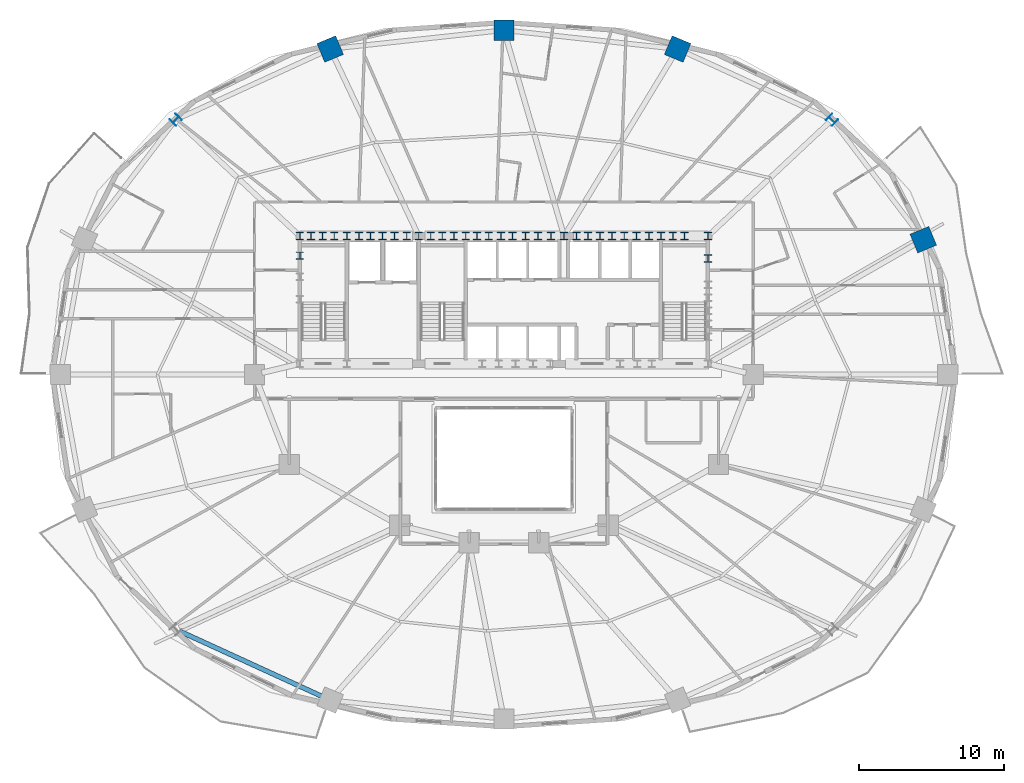
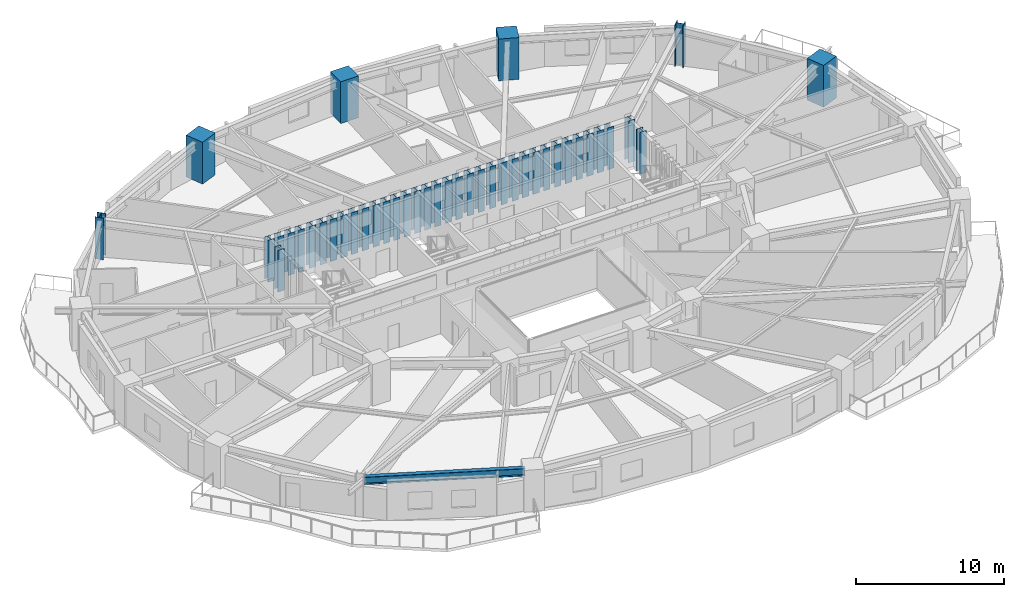
# One storey, part 2 of 18: 42 columns, 1 beam.
"""IFC4 building model written with IfcOpenShell, lengths in metres."""

from ifc_helpers import new_model, si_unit, direction, frame, origin, origin_2d, place, context, subcontext, project, spatial, rectangle, i_section, extrude, material, material_profile, profile_set, type_object, element, save


model = new_model("IFC4")

# Units and contexts
model_context = context("Model", 3, precision=1e-05, world=origin(), true_north=direction((0.0, 1.0)))
body_context = subcontext(model_context, "Body", "Model", "MODEL_VIEW")
ifc_project = project(units=[si_unit("LENGTHUNIT", "METRE"), si_unit("AREAUNIT", "SQUARE_METRE"), si_unit("VOLUMEUNIT", "CUBIC_METRE"), si_unit("PLANEANGLEUNIT", "RADIAN"), si_unit("MASSUNIT", "GRAM", prefix="KILO")], contexts=[model_context])

# Site, building, storey
site_placement = place(None, origin())
site = spatial("IfcSite", under=ifc_project, at=site_placement, CompositionType="ELEMENT")
building_placement = place(site_placement, origin())
building = spatial("IfcBuilding", under=site, at=building_placement, Name="Haldorwick Loom Tower", CompositionType="ELEMENT")
storey_placement = place(building_placement, frame((0.0, 0.0, 48.14990234375)))
storey = spatial("IfcBuildingStorey", under=building, at=storey_placement, Name="L12", CompositionType="ELEMENT", Elevation=48.14990234375)

# Columns
ifc_material_1 = material(Name="Concrete C60 (60 MPa)", Category="concrete")
ifc_material_profile_1 = material_profile(ifc_material_1, rectangle(XDim=1.39990234375, YDim=1.39990234375, at=origin_2d()), Name="RC1400X1400", Category="concrete")
ifc_profile_set_1 = profile_set([ifc_material_profile_1], Name="Concrete C60 (60 MPa)")
column_type_1 = type_object("IfcColumnType", Name="STR-COL-RC1400", PredefinedType="PILASTER", material=ifc_profile_set_1)
for number, where, z_axis, x_axis, name in (
    (1, (64.91748046875, 35.29931640625, 0.0), (0.0, 0.0, 1.0), (0.923879532511, 0.382683432365, 0.0), "L12 Perimeter Pier Column P02"),
    (2, (47.97802734375, 48.4501953125, 0.0), (0.0, 0.0, 1.0), (0.382683432365, 0.923879532511, 0.0), "L12 Perimeter Pier Column P04"),
    (3, (36.0, 49.75, 0.0), (0.0, 0.0, 1.0), (0.0, 1.0, 0.0), "L12 Perimeter Pier Column P05"),
    (4, (24.02197265625, 48.4501953125, 0.0), (0.0, 0.0, 1.0), (-0.382683432365, 0.923879532511, 0.0), "L12 Perimeter Pier Column P06"),
):
    element("IfcColumn", number, at=place(storey_placement, frame(where, z_axis=z_axis, x_axis=x_axis)), inside=storey, type_object=column_type_1, Name=name, PredefinedType="PILASTER", context=body_context, shape_type="SweptSolid", body=[
        extrude(rectangle(XDim=1.39990234375, YDim=1.39990234375, at=origin_2d()), origin(), (0.0, 0.0, 1.0), 3.4501953125),
    ])
ifc_material_2 = material(Name="Steel CSA G40.21 350WT", Category="steel")
ifc_material_profile_2 = material_profile(ifc_material_2, i_section(OverallWidth=0.5, OverallDepth=0.5, WebThickness=0.02197265625, FlangeThickness=0.031982421875, at=origin_2d()), Name="WWF500X500", Category="steel")
ifc_profile_set_2 = profile_set([ifc_material_profile_2], Name="Steel CSA G40.21 350WT")
column_type_2 = type_object("IfcColumnType", Name="STR-COL-WWF500", PredefinedType="COLUMN", material=ifc_profile_set_2)
for number, where, z_axis, x_axis, name in (
    (5, (21.929931640625, 35.550048828125, 0.0), (0.0, 0.0, 1.0), (1.0, 0.0, 0.0), "L12 Core Pilaster CB-01"),
    (6, (23.5, 35.550048828125, 0.0), (0.0, 0.0, 1.0), (1.0, 0.0, 0.0), "L12 Core Pilaster CB-02"),
    (7, (25.169921875, 35.550048828125, 0.0), (0.0, 0.0, 1.0), (1.0, 0.0, 0.0), "L12 Core Pilaster CB-03"),
    (8, (26.800048828125, 35.550048828125, 0.0), (0.0, 0.0, 1.0), (1.0, 0.0, 0.0), "L12 Core Pilaster CB-04"),
    (9, (28.449951171875, 35.550048828125, 0.0), (0.0, 0.0, 1.0), (1.0, 0.0, 0.0), "L12 Core Pilaster CB-05"),
    (10, (30.1298828125, 35.550048828125, 0.0), (0.0, 0.0, 1.0), (1.0, 0.0, 0.0), "L12 Core Pilaster CB-06"),
    (11, (31.75, 35.550048828125, 0.0), (0.0, 0.0, 1.0), (1.0, 0.0, 0.0), "L12 Core Pilaster CB-07"),
    (12, (33.3701171875, 35.550048828125, 0.0), (0.0, 0.0, 1.0), (1.0, 0.0, 0.0), "L12 Core Pilaster CB-08"),
    (13, (34.949951171875, 35.550048828125, 0.0), (0.0, 0.0, 1.0), (1.0, 0.0, 0.0), "L12 Core Pilaster CB-09"),
    (14, (36.60009765625, 35.550048828125, 0.0), (0.0, 0.0, 1.0), (1.0, 0.0, 0.0), "L12 Core Pilaster CB-10"),
    (15, (38.35009765625, 35.550048828125, 0.0), (0.0, 0.0, 1.0), (1.0, 0.0, 0.0), "L12 Core Pilaster CB-11"),
    (16, (40.14990234375, 35.550048828125, 0.0), (0.0, 0.0, 1.0), (1.0, 0.0, 0.0), "L12 Core Pilaster CB-12"),
    (17, (41.800048828125, 35.550048828125, 0.0), (0.0, 0.0, 1.0), (1.0, 0.0, 0.0), "L12 Core Pilaster CB-13"),
    (18, (43.449951171875, 35.550048828125, 0.0), (0.0, 0.0, 1.0), (1.0, 0.0, 0.0), "L12 Core Pilaster CB-14"),
    (19, (45.14990234375, 35.550048828125, 0.0), (0.0, 0.0, 1.0), (1.0, 0.0, 0.0), "L12 Core Pilaster CB-15"),
    (20, (46.830078125, 35.550048828125, 0.0), (0.0, 0.0, 1.0), (1.0, 0.0, 0.0), "L12 Core Pilaster CB-16"),
    (21, (48.449951171875, 35.550048828125, 0.0), (0.0, 0.0, 1.0), (1.0, 0.0, 0.0), "L12 Core Pilaster CB-17"),
    (22, (50.070068359375, 35.550048828125, 0.0), (0.0, 0.0, 1.0), (1.0, 0.0, 0.0), "L12 Core Pilaster CB-18"),
    (23, (21.929931640625, 34.199951171875, 0.0), (0.0, 0.0, 1.0), (1.0, 0.0, 0.0), "L12 Core Pilaster CB-28"),
    (24, (50.070068359375, 34.0, 0.0), (0.0, 0.0, 1.0), (1.0, 0.0, 0.0), "L12 Core Pilaster CB-32"),
    (25, (22.699951171875, 35.550048828125, 0.0), (0.0, 0.0, 1.0), (1.0, 0.0, 0.0), "L12 Core Pilaster CB-33"),
    (26, (27.6201171875, 35.550048828125, 0.0), (0.0, 0.0, 1.0), (1.0, 0.0, 0.0), "L12 Core Pilaster CB-34"),
    (27, (32.550048828125, 35.550048828125, 0.0), (0.0, 0.0, 1.0), (1.0, 0.0, 0.0), "L12 Core Pilaster CB-35"),
    (28, (37.5, 35.550048828125, 0.0), (0.0, 0.0, 1.0), (1.0, 0.0, 0.0), "L12 Core Pilaster CB-36"),
    (29, (42.6201171875, 35.550048828125, 0.0), (0.0, 0.0, 1.0), (1.0, 0.0, 0.0), "L12 Core Pilaster CB-37"),
    (30, (47.64990234375, 35.550048828125, 0.0), (0.0, 0.0, 1.0), (1.0, 0.0, 0.0), "L12 Core Pilaster CB-38"),
    (31, (24.300048828125, 35.550048828125, 0.0), (0.0, 0.0, 1.0), (1.0, 0.0, 0.0), "L12 Core Pilaster CB-39"),
    (32, (26.0, 35.550048828125, 0.0), (0.0, 0.0, 1.0), (1.0, 0.0, 0.0), "L12 Core Pilaster CB-40"),
    (33, (29.300048828125, 35.550048828125, 0.0), (0.0, 0.0, 1.0), (1.0, 0.0, 0.0), "L12 Core Pilaster CB-41"),
    (34, (30.949951171875, 35.550048828125, 0.0), (0.0, 0.0, 1.0), (1.0, 0.0, 0.0), "L12 Core Pilaster CB-42"),
    (35, (34.14990234375, 35.550048828125, 0.0), (0.0, 0.0, 1.0), (1.0, 0.0, 0.0), "L12 Core Pilaster CB-43"),
    (36, (35.800048828125, 35.550048828125, 0.0), (0.0, 0.0, 1.0), (1.0, 0.0, 0.0), "L12 Core Pilaster CB-44"),
    (37, (39.25, 35.550048828125, 0.0), (0.0, 0.0, 1.0), (1.0, 0.0, 0.0), "L12 Core Pilaster CB-45"),
    (38, (41.0, 35.550048828125, 0.0), (0.0, 0.0, 1.0), (1.0, 0.0, 0.0), "L12 Core Pilaster CB-46"),
    (39, (44.300048828125, 35.550048828125, 0.0), (0.0, 0.0, 1.0), (1.0, 0.0, 0.0), "L12 Core Pilaster CB-47"),
    (40, (46.0, 35.550048828125, 0.0), (0.0, 0.0, 1.0), (1.0, 0.0, 0.0), "L12 Core Pilaster CB-48"),
):
    element("IfcColumn", number, at=place(storey_placement, frame(where, z_axis=z_axis, x_axis=x_axis)), inside=storey, type_object=column_type_2, Name=name, PredefinedType="COLUMN", context=body_context, shape_type="SweptSolid", body=[
        extrude(i_section(OverallWidth=0.5, OverallDepth=0.5, WebThickness=0.02197265625, FlangeThickness=0.031982421875, at=origin_2d()), origin(), (0.0, 0.0, 1.0), 3.4501953125),
    ])
ifc_material_profile_3 = material_profile(ifc_material_2, i_section(OverallWidth=0.60009765625, OverallDepth=0.60009765625, WebThickness=0.02490234375, FlangeThickness=0.035888671875, at=origin_2d()), Name="WWF600X600", Category="steel")
ifc_profile_set_3 = profile_set([ifc_material_profile_3], Name="Steel CSA G40.21 350WT")
column_type_3 = type_object("IfcColumnType", Name="STR-COL-WWF600", PredefinedType="COLUMN", material=ifc_profile_set_3)
for number, where, z_axis, x_axis, name in (
    (41, (58.630126953125, 43.571533203125, 0.0), (0.0, 0.0, 1.0), (0.707106781187, 0.707106781187, 0.0), "L12 Perimeter Pier Column P03"),
    (42, (13.369873046875, 43.571533203125, 0.0), (0.0, 0.0, 1.0), (-0.707106781187, 0.707106781187, 0.0), "L12 Perimeter Pier Column P07"),
):
    element("IfcColumn", number, at=place(storey_placement, frame(where, z_axis=z_axis, x_axis=x_axis)), inside=storey, type_object=column_type_3, Name=name, PredefinedType="COLUMN", context=body_context, shape_type="SweptSolid", body=[
        extrude(i_section(OverallWidth=0.60009765625, OverallDepth=0.60009765625, WebThickness=0.02490234375, FlangeThickness=0.035888671875, at=origin_2d()), origin(), (0.0, 0.0, 1.0), 3.4501953125),
    ])

# Beam
ifc_material_3 = material(Name="Steel CSA G40.21 350W", Category="steel")
ifc_material_profile_4 = material_profile(ifc_material_3, i_section(OverallWidth=0.324951171875, OverallDepth=0.615966796875, WebThickness=0.013916015625, FlangeThickness=0.021484375, at=origin_2d()), Name="W610X174", Category="steel")
ifc_profile_set_4 = profile_set([ifc_material_profile_4], Name="Steel CSA G40.21 350W")
beam_type = type_object("IfcBeamType", Name="STR-BM-SP610", PredefinedType="SPANDREL", material=ifc_profile_set_4)
beam_placement = place(storey_placement, frame((13.619873046875, 8.31396484375, 2.902099609375), z_axis=(0.909173805321, -0.416416848504, 0.0), x_axis=(0.416416848504, 0.909173805321, 0.0)))
element("IfcBeam", 43, at=beam_placement, inside=storey, type_object=beam_type, Name="L12 Perimeter Spandrel 11", PredefinedType="SPANDREL", context=body_context, shape_type="SweptSolid", body=[
    extrude(i_section(OverallWidth=0.324951171875, OverallDepth=0.615966796875, WebThickness=0.013916015625, FlangeThickness=0.021484375, at=origin_2d()), origin(), (0.0, 0.0, 1.0), 10.92138671875),
])

save(model, "model.ifc")
